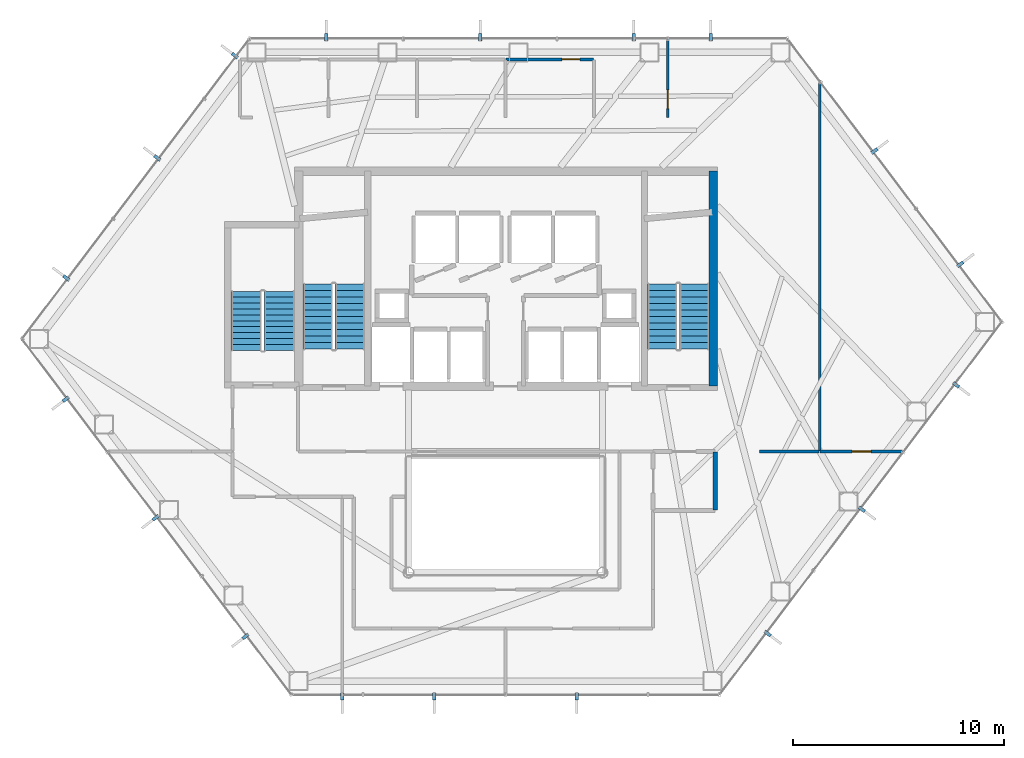
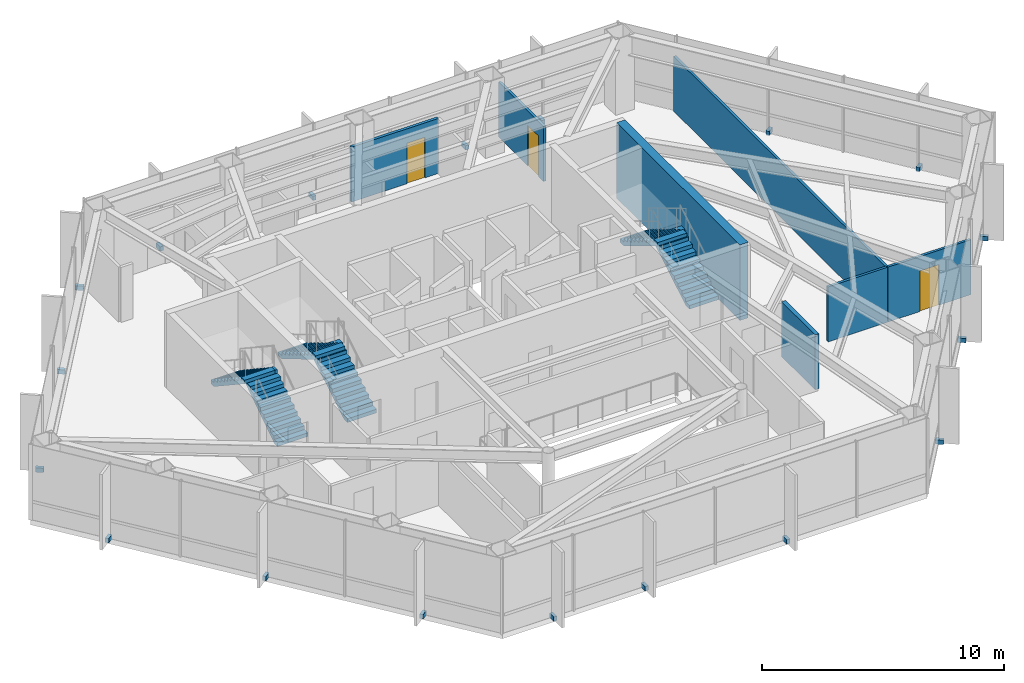
# One storey, part 23 of 24: 18 discrete accessories, 7 walls, 6 stair flights, 3 doors, 3 openings, 3 elements without a shape of their own.
"""IFC4 building model written with IfcOpenShell, lengths in metres."""

from ifc_helpers import new_model, si_unit, direction, frame, frame_2d, origin, origin_2d, place, context, subcontext, project, spatial, polyline, rectangle, outline, extrude, material, layer, layer_set, type_object, element, fill, aggregate, save


model = new_model("IFC4")

# Units and contexts
model_context = context("Model", 3, precision=1e-05, world=origin(), true_north=direction((0.0, 1.0)))
body_context = subcontext(model_context, "Body", "Model", "MODEL_VIEW")
ifc_project = project(units=[si_unit("LENGTHUNIT", "METRE"), si_unit("AREAUNIT", "SQUARE_METRE"), si_unit("VOLUMEUNIT", "CUBIC_METRE"), si_unit("PLANEANGLEUNIT", "RADIAN"), si_unit("MASSUNIT", "GRAM", prefix="KILO")], contexts=[model_context])

# Site, building, storey
site_placement = place(None, origin())
site = spatial("IfcSite", under=ifc_project, at=site_placement, CompositionType="ELEMENT")
building_placement = place(site_placement, origin())
building = spatial("IfcBuilding", under=site, at=building_placement, Name="Zarrinselat Tower", CompositionType="ELEMENT")
storey_placement = place(building_placement, frame((0.0, 0.0, 76.5)))
storey = spatial("IfcBuildingStorey", under=building, at=storey_placement, Name="L18", CompositionType="ELEMENT", Elevation=76.5)

# Wall
ifc_material_1 = material(Name="Concrete C40/50", Category="concrete")
ifc_layer_1 = layer(ifc_material_1, 0.18994140625)
ifc_layer_set_1 = layer_set([ifc_layer_1], Name="Concrete C40/50")
wall_type_1 = type_object("IfcWallType", Name="WAL-PART-EI120", PredefinedType="PARTITIONING", material=ifc_layer_set_1)
wall_1_placement = place(storey_placement, frame((48.35009765625, 27.3701171875, 0.0), z_axis=(0.0, 0.0, 1.0), x_axis=(0.0, 1.0, 0.0)))
element("IfcWall", 1, at=wall_1_placement, inside=storey, type_object=wall_type_1, Name="L18 Partition Wall 14", PredefinedType="PARTITIONING", context=body_context, shape_type="SweptSolid", body=[
    extrude(rectangle(XDim=2.759765625, YDim=0.18994140625, at=frame_2d((1.3798828125, 0.0))), origin(), (0.0, 0.0, 1.0), 2.777099609375),
])

# Wall, opening, door
ifc_material_2 = material(Name="Fire-Rated Gypsum Board Partition", Category="gypsum")
ifc_layer_2 = layer(ifc_material_2, 0.1201171875)
ifc_layer_set_2 = layer_set([ifc_layer_2], Name="Fire-Rated Gypsum Board Partition")
wall_type_2 = type_object("IfcWallType", Name="WAL-PART-STD", PredefinedType="PARTITIONING", material=ifc_layer_set_2)
wall_2_placement = place(storey_placement, frame((53.320068359375, 30.14990234375, 0.0), z_axis=(0.0, 0.0, 1.0), x_axis=(1.0, 0.0, 0.0)))
wall_2 = element("IfcWall", 2, at=wall_2_placement, inside=storey, type_object=wall_type_2, Name="L18 Partition Wall 44", PredefinedType="PARTITIONING", context=body_context, shape_type="SweptSolid", body=[
    extrude(rectangle(XDim=3.956298828125, YDim=0.1201171875, at=frame_2d((1.97802734375, 0.0))), origin(), (0.0, 0.0, 1.0), 2.777099609375),
])
opening_1_placement = place(wall_2_placement, frame((1.5283203125, 0.0, 0.0)))
opening_1 = element("IfcOpeningElement", 3, at=opening_1_placement, cuts=wall_2, Name="Opening ID-05", PredefinedType="OPENING", context=body_context, shape_type="SweptSolid", body=[
    extrude(rectangle(XDim=0.89990234375, YDim=2.050048828125, at=frame_2d((0.449951171875, 1.02490234375))), frame((0.0, 0.070068359375, 0.0), z_axis=(0.0, -1.0, 0.0), x_axis=(1.0, 0.0, 0.0)), (0.0, 0.0, 1.0), 0.14013671875),
])
ifc_material_3 = material(Name="Extruded Aluminium Alloy EN AW-6063 T6", Category="aluminium")
door_type_1 = type_object("IfcDoorType", Name="DR-INT-STD-920", OperationType="NOTDEFINED", PredefinedType="DOOR", material=ifc_material_3)
door_1_placement = place(opening_1_placement, origin())
door_1 = element("IfcDoor", 4, at=door_1_placement, inside=storey, type_object=door_type_1, Name="L18 Interior Door P44", OperationType="SINGLE_SWING_LEFT", OverallHeight=2.050048828125, OverallWidth=0.89990234375, PredefinedType="DOOR", context=body_context, shape_type="SweptSolid", body=[
    extrude(rectangle(XDim=0.89990234375, YDim=2.050048828125, at=frame_2d((0.449951171875, 1.02490234375))), frame((0.0, 0.02490234375, 0.0), z_axis=(0.0, -1.0, 0.0), x_axis=(1.0, 0.0, 0.0)), (0.0, 0.0, 1.0), 0.050048828125),
])
fill(opening_1, door_1)

# Walls
wall_3_placement = place(storey_placement, frame((50.449951171875, 30.14990234375, 0.0), z_axis=(0.0, 0.0, 1.0), x_axis=(1.0, 0.0, 0.0)))
element("IfcWall", 5, at=wall_3_placement, inside=storey, type_object=wall_type_2, Name="L18 Partition Wall 45", PredefinedType="PARTITIONING", context=body_context, shape_type="SweptSolid", body=[
    extrude(rectangle(XDim=2.830078125, YDim=0.1201171875, at=frame_2d((1.4150390625, 0.0))), origin(), (0.0, 0.0, 1.0), 2.777099609375),
])
wall_4_placement = place(storey_placement, frame((53.300048828125, 30.169921875, 0.0), z_axis=(0.0, 0.0, 1.0), x_axis=(0.0, 1.0, 0.0)))
element("IfcWall", 6, at=wall_4_placement, inside=storey, type_object=wall_type_2, Name="L18 Partition Wall 48", PredefinedType="PARTITIONING", context=body_context, shape_type="SweptSolid", body=[
    extrude(rectangle(XDim=17.536865234375, YDim=0.1201171875, at=frame_2d((8.7685546875, 0.0))), origin(), (0.0, 0.0, 1.0), 2.777099609375),
])

# Wall, opening, door
wall_5_placement = place(storey_placement, frame((46.10009765625, 46.0, 0.0), z_axis=(0.0, 0.0, 1.0), x_axis=(0.0, 1.0, 0.0)))
wall_5 = element("IfcWall", 7, at=wall_5_placement, inside=storey, type_object=wall_type_2, Name="L18 Partition Wall 49", PredefinedType="PARTITIONING", context=body_context, shape_type="SweptSolid", body=[
    extrude(rectangle(XDim=3.71826171875, YDim=0.1201171875, at=frame_2d((1.859130859375, 0.0))), origin(), (0.0, 0.0, 1.0), 2.777099609375),
])
opening_2_placement = place(wall_5_placement, frame((0.4091796875, 0.0, 0.0)))
opening_2 = element("IfcOpeningElement", 8, at=opening_2_placement, cuts=wall_5, Name="Opening ID-05", PredefinedType="OPENING", context=body_context, shape_type="SweptSolid", body=[
    extrude(rectangle(XDim=0.89990234375, YDim=2.050048828125, at=frame_2d((0.449951171875, 1.02490234375))), frame((0.0, 0.070068359375, 0.0), z_axis=(0.0, -1.0, 0.0), x_axis=(1.0, 0.0, 0.0)), (0.0, 0.0, 1.0), 0.14013671875),
])
door_2_placement = place(opening_2_placement, origin())
door_2 = element("IfcDoor", 9, at=door_2_placement, inside=storey, type_object=door_type_1, Name="L18 Interior Door P49", OperationType="SINGLE_SWING_RIGHT", OverallHeight=2.050048828125, OverallWidth=0.89990234375, PredefinedType="DOOR", context=body_context, shape_type="SweptSolid", body=[
    extrude(rectangle(XDim=0.89990234375, YDim=2.050048828125, at=frame_2d((0.449951171875, 1.02490234375))), frame((0.0, 0.02490234375, 0.0), z_axis=(0.0, -1.0, 0.0), x_axis=(1.0, 0.0, 0.0)), (0.0, 0.0, 1.0), 0.050048828125),
])
fill(opening_2, door_2)

ifc_material_4 = material(Name="Fire-Rated Gypsum Board Partition", Category="gypsum")
ifc_layer_3 = layer(ifc_material_4, 0.135009765625)
ifc_layer_set_3 = layer_set([ifc_layer_3], Name="Fire-Rated Gypsum Board Partition")
wall_type_3 = type_object("IfcWallType", Name="WAL-PART-WET", PredefinedType="PARTITIONING", material=ifc_layer_set_3)
wall_6_placement = place(storey_placement, frame((38.419921875, 48.75, 0.0), z_axis=(0.0, 0.0, 1.0), x_axis=(1.0, 0.0, 0.0)))
wall_6 = element("IfcWall", 10, at=wall_6_placement, inside=storey, type_object=wall_type_3, Name="L18 Partition Wall 40", PredefinedType="PARTITIONING", context=body_context, shape_type="SweptSolid", body=[
    extrude(rectangle(XDim=4.16015625, YDim=0.135009765625, at=frame_2d((2.080078125, 0.0))), origin(), (0.0, 0.0, 1.0), 2.777099609375),
])
opening_3_placement = place(wall_6_placement, frame((2.64990234375, 0.0, 0.0)))
opening_3 = element("IfcOpeningElement", 11, at=opening_3_placement, cuts=wall_6, Name="Opening ID-06", PredefinedType="OPENING", context=body_context, shape_type="SweptSolid", body=[
    extrude(rectangle(XDim=0.860107421875, YDim=2.050048828125, at=frame_2d((0.43017578125, 1.02490234375))), frame((0.0, 0.077392578125, 0.0), z_axis=(0.0, -1.0, 0.0), x_axis=(1.0, 0.0, 0.0)), (0.0, 0.0, 1.0), 0.155029296875),
])
ifc_material_5 = material(Name="Extruded Aluminium Alloy EN AW-6063 T6", Category="aluminium")
door_type_2 = type_object("IfcDoorType", Name="DR-INT-WET-900", OperationType="NOTDEFINED", PredefinedType="DOOR", material=ifc_material_5)
door_3_placement = place(opening_3_placement, origin())
door_3 = element("IfcDoor", 12, at=door_3_placement, inside=storey, type_object=door_type_2, Name="L18 Interior Door P40", OperationType="SINGLE_SWING_RIGHT", OverallHeight=2.050048828125, OverallWidth=0.860107421875, PredefinedType="DOOR", context=body_context, shape_type="SweptSolid", body=[
    extrude(rectangle(XDim=0.860107421875, YDim=2.050048828125, at=frame_2d((0.43017578125, 1.02490234375))), frame((0.0, 0.02490234375, 0.0), z_axis=(0.0, -1.0, 0.0), x_axis=(1.0, 0.0, 0.0)), (0.0, 0.0, 1.0), 0.050048828125),
])
fill(opening_3, door_3)

# Wall
ifc_material_6 = material(Name="Concrete C60/75", Category="concrete")
ifc_layer_4 = layer(ifc_material_6, 0.39990234375)
ifc_layer_set_4 = layer_set([ifc_layer_4], Name="Concrete C60/75")
wall_type_4 = type_object("IfcWallType", Name="WAL-SHEAR-400", PredefinedType="SHEAR", material=ifc_layer_set_4)
wall_7_placement = place(storey_placement, frame((48.260009765625, 33.25, 0.0), z_axis=(0.0, 0.0, 1.0), x_axis=(0.0, 1.0, 0.0)))
element("IfcWall", 13, at=wall_7_placement, inside=storey, type_object=wall_type_4, Name="L18 Core Shear Wall E", PredefinedType="SHEAR", context=body_context, shape_type="SweptSolid", body=[
    extrude(rectangle(XDim=10.199951171875, YDim=0.39990234375, at=frame_2d((5.10009765625, 0.0))), origin(), (0.0, 0.0, 1.0), 3.820068359375),
])

# Stair, stair flights
ifc_material_7 = material(Name="Concrete C40/50", Category="concrete")
stair_type_1 = type_object("IfcStairType", Name="STR-CORE-145", PredefinedType="HALF_TURN_STAIR", material=ifc_material_7)
stair_1_placement = place(storey_placement, origin())
stair_1 = element("IfcStair", 14, at=stair_1_placement, inside=storey, type_object=stair_type_1, Name="L18 Podium & Mid-Tower Exit Stair 3", PredefinedType="HALF_TURN_STAIR")
ifc_material_8 = material(Name="Concrete C40/50", Category="concrete")
stair_flight_type_1 = type_object("IfcStairFlightType", Name="STR-FLT-145", PredefinedType="STRAIGHT", material=ifc_material_8)
stair_flight_1_placement = place(storey_placement, frame((27.675048828125, 34.949951171875, 0.0), z_axis=(0.0, 0.0, 1.0), x_axis=(0.0, 1.0, 0.0)))
stair_flight_1 = element("IfcStairFlight", 15, at=stair_flight_1_placement, type_object=stair_flight_type_1, Name="ST-3 flight 1", NumberOfRisers=11, NumberOfTreads=10, PredefinedType="STRAIGHT", RiserHeight=0.185454545, TreadLength=0.28, context=body_context, shape_type="SweptSolid", body=[
    extrude(outline(polyline([(0.0, 0.0), (0.0, 0.185546875), (0.280029296875, 0.185546875), (0.280029296875, 0.370849609375), (0.56005859375, 0.370849609375), (0.56005859375, 0.556396484375), (0.840087890625, 0.556396484375), (0.840087890625, 0.74169921875), (1.1201171875, 0.74169921875), (1.1201171875, 0.92724609375), (1.39990234375, 0.92724609375), (1.39990234375, 1.11279296875), (1.679931640625, 1.11279296875), (1.679931640625, 1.298095703125), (1.9599609375, 1.298095703125), (1.9599609375, 1.483642578125), (2.239990234375, 1.483642578125), (2.239990234375, 1.669189453125), (2.52001953125, 1.669189453125), (2.52001953125, 1.8544921875), (2.800048828125, 1.8544921875), (2.800048828125, 2.0400390625), (2.800048828125, 1.6748046875), (0.271484375, 0.0), (0.0, 0.0)])), frame((0.0, 0.72509765625, 0.0), z_axis=(0.0, -1.0, 0.0), x_axis=(1.0, 0.0, 0.0)), (0.0, 0.0, 1.0), 1.449951171875),
])
stair_flight_2_placement = place(storey_placement, frame((26.10498046875, 37.75, 2.0400390625), z_axis=(0.0, 0.0, 1.0), x_axis=(0.0, -1.0, 0.0)))
stair_flight_2 = element("IfcStairFlight", 16, at=stair_flight_2_placement, type_object=stair_flight_type_1, Name="ST-3 flight 2", NumberOfRisers=11, NumberOfTreads=10, PredefinedType="STRAIGHT", RiserHeight=0.185454545, TreadLength=0.28, context=body_context, shape_type="SweptSolid", body=[
    extrude(outline(polyline([(0.0, 0.0), (0.0, 0.185546875), (0.280029296875, 0.185546875), (0.280029296875, 0.370849609375), (0.56005859375, 0.370849609375), (0.56005859375, 0.556396484375), (0.840087890625, 0.556396484375), (0.840087890625, 0.74169921875), (1.1201171875, 0.74169921875), (1.1201171875, 0.92724609375), (1.39990234375, 0.92724609375), (1.39990234375, 1.11279296875), (1.679931640625, 1.11279296875), (1.679931640625, 1.298095703125), (1.9599609375, 1.298095703125), (1.9599609375, 1.483642578125), (2.239990234375, 1.483642578125), (2.239990234375, 1.669189453125), (2.52001953125, 1.669189453125), (2.52001953125, 1.8544921875), (2.800048828125, 1.8544921875), (2.800048828125, 2.0400390625), (2.800048828125, 1.6748046875), (0.271484375, 0.0), (0.0, 0.0)])), frame((0.0, 0.72509765625, 0.0), z_axis=(0.0, -1.0, 0.0), x_axis=(1.0, 0.0, 0.0)), (0.0, 0.0, 1.0), 1.449951171875),
])
aggregate(stair_1, [stair_flight_1, stair_flight_2])

ifc_material_9 = material(Name="Concrete C40/50", Category="concrete")
stair_type_2 = type_object("IfcStairType", Name="STR-CORE-155", PredefinedType="HALF_TURN_STAIR", material=ifc_material_9)
stair_2_placement = place(storey_placement, origin())
stair_2 = element("IfcStair", 17, at=stair_2_placement, inside=storey, type_object=stair_type_2, Name="L18 Core Exit Stair 1", PredefinedType="HALF_TURN_STAIR")
ifc_material_10 = material(Name="Concrete C40/50", Category="concrete")
stair_flight_type_2 = type_object("IfcStairFlightType", Name="STR-FLT-155", PredefinedType="STRAIGHT", material=ifc_material_10)
stair_flight_3_placement = place(storey_placement, frame((31.02001953125, 35.0, 0.0), z_axis=(0.0, 0.0, 1.0), x_axis=(0.0, 1.0, 0.0)))
stair_flight_3 = element("IfcStairFlight", 18, at=stair_flight_3_placement, type_object=stair_flight_type_2, Name="ST-1 flight 1", NumberOfRisers=11, NumberOfTreads=10, PredefinedType="STRAIGHT", RiserHeight=0.185454545, TreadLength=0.31, context=body_context, shape_type="SweptSolid", body=[
    extrude(outline(polyline([(0.0, 0.0), (0.0, 0.185546875), (0.31005859375, 0.185546875), (0.31005859375, 0.370849609375), (0.6201171875, 0.370849609375), (0.6201171875, 0.556396484375), (0.929931640625, 0.556396484375), (0.929931640625, 0.74169921875), (1.239990234375, 0.74169921875), (1.239990234375, 0.92724609375), (1.550048828125, 0.92724609375), (1.550048828125, 1.11279296875), (1.860107421875, 1.11279296875), (1.860107421875, 1.298095703125), (2.169921875, 1.298095703125), (2.169921875, 1.483642578125), (2.47998046875, 1.483642578125), (2.47998046875, 1.669189453125), (2.7900390625, 1.669189453125), (2.7900390625, 1.8544921875), (3.10009765625, 1.8544921875), (3.10009765625, 2.0400390625), (3.10009765625, 1.679931640625), (0.2919921875, 0.0), (0.0, 0.0)])), frame((0.0, 0.699951171875, 0.0), z_axis=(0.0, -1.0, 0.0), x_axis=(1.0, 0.0, 0.0)), (0.0, 0.0, 1.0), 1.39990234375),
])
stair_flight_4_placement = place(storey_placement, frame((29.5, 38.10009765625, 2.0400390625), z_axis=(0.0, 0.0, 1.0), x_axis=(0.0, -1.0, 0.0)))
stair_flight_4 = element("IfcStairFlight", 19, at=stair_flight_4_placement, type_object=stair_flight_type_2, Name="ST-1 flight 2", NumberOfRisers=11, NumberOfTreads=10, PredefinedType="STRAIGHT", RiserHeight=0.185454545, TreadLength=0.31, context=body_context, shape_type="SweptSolid", body=[
    extrude(outline(polyline([(0.0, 0.0), (0.0, 0.185546875), (0.31005859375, 0.185546875), (0.31005859375, 0.370849609375), (0.6201171875, 0.370849609375), (0.6201171875, 0.556396484375), (0.929931640625, 0.556396484375), (0.929931640625, 0.74169921875), (1.239990234375, 0.74169921875), (1.239990234375, 0.92724609375), (1.550048828125, 0.92724609375), (1.550048828125, 1.11279296875), (1.860107421875, 1.11279296875), (1.860107421875, 1.298095703125), (2.169921875, 1.298095703125), (2.169921875, 1.483642578125), (2.47998046875, 1.483642578125), (2.47998046875, 1.669189453125), (2.7900390625, 1.669189453125), (2.7900390625, 1.8544921875), (3.10009765625, 1.8544921875), (3.10009765625, 2.0400390625), (3.10009765625, 1.679931640625), (0.2919921875, 0.0), (0.0, 0.0)])), frame((0.0, 0.699951171875, 0.0), z_axis=(0.0, -1.0, 0.0), x_axis=(1.0, 0.0, 0.0)), (0.0, 0.0, 1.0), 1.39990234375),
])
aggregate(stair_2, [stair_flight_3, stair_flight_4])

stair_3_placement = place(storey_placement, origin())
stair_3 = element("IfcStair", 20, at=stair_3_placement, inside=storey, type_object=stair_type_2, Name="L18 Core Exit Stair 2", PredefinedType="HALF_TURN_STAIR")
stair_flight_5_placement = place(storey_placement, frame((47.360107421875, 35.0, 0.0), z_axis=(0.0, 0.0, 1.0), x_axis=(0.0, 1.0, 0.0)))
stair_flight_5 = element("IfcStairFlight", 21, at=stair_flight_5_placement, type_object=stair_flight_type_2, Name="ST-2 flight 1", NumberOfRisers=11, NumberOfTreads=10, PredefinedType="STRAIGHT", RiserHeight=0.185454545, TreadLength=0.31, context=body_context, shape_type="SweptSolid", body=[
    extrude(outline(polyline([(0.0, 0.0), (0.0, 0.185546875), (0.31005859375, 0.185546875), (0.31005859375, 0.370849609375), (0.6201171875, 0.370849609375), (0.6201171875, 0.556396484375), (0.929931640625, 0.556396484375), (0.929931640625, 0.74169921875), (1.239990234375, 0.74169921875), (1.239990234375, 0.92724609375), (1.550048828125, 0.92724609375), (1.550048828125, 1.11279296875), (1.860107421875, 1.11279296875), (1.860107421875, 1.298095703125), (2.169921875, 1.298095703125), (2.169921875, 1.483642578125), (2.47998046875, 1.483642578125), (2.47998046875, 1.669189453125), (2.7900390625, 1.669189453125), (2.7900390625, 1.8544921875), (3.10009765625, 1.8544921875), (3.10009765625, 2.0400390625), (3.10009765625, 1.679931640625), (0.2919921875, 0.0), (0.0, 0.0)])), frame((0.0, 0.699951171875, 0.0), z_axis=(0.0, -1.0, 0.0), x_axis=(1.0, 0.0, 0.0)), (0.0, 0.0, 1.0), 1.39990234375),
])
stair_flight_6_placement = place(storey_placement, frame((45.840087890625, 38.10009765625, 2.0400390625), z_axis=(0.0, 0.0, 1.0), x_axis=(0.0, -1.0, 0.0)))
stair_flight_6 = element("IfcStairFlight", 22, at=stair_flight_6_placement, type_object=stair_flight_type_2, Name="ST-2 flight 2", NumberOfRisers=11, NumberOfTreads=10, PredefinedType="STRAIGHT", RiserHeight=0.185454545, TreadLength=0.31, context=body_context, shape_type="SweptSolid", body=[
    extrude(outline(polyline([(0.0, 0.0), (0.0, 0.185546875), (0.31005859375, 0.185546875), (0.31005859375, 0.370849609375), (0.6201171875, 0.370849609375), (0.6201171875, 0.556396484375), (0.929931640625, 0.556396484375), (0.929931640625, 0.74169921875), (1.239990234375, 0.74169921875), (1.239990234375, 0.92724609375), (1.550048828125, 0.92724609375), (1.550048828125, 1.11279296875), (1.860107421875, 1.11279296875), (1.860107421875, 1.298095703125), (2.169921875, 1.298095703125), (2.169921875, 1.483642578125), (2.47998046875, 1.483642578125), (2.47998046875, 1.669189453125), (2.7900390625, 1.669189453125), (2.7900390625, 1.8544921875), (3.10009765625, 1.8544921875), (3.10009765625, 2.0400390625), (3.10009765625, 1.679931640625), (0.2919921875, 0.0), (0.0, 0.0)])), frame((0.0, 0.699951171875, 0.0), z_axis=(0.0, -1.0, 0.0), x_axis=(1.0, 0.0, 0.0)), (0.0, 0.0, 1.0), 1.39990234375),
])
aggregate(stair_3, [stair_flight_5, stair_flight_6])

# Discrete accessories
ifc_material_11 = material(Name="Steel S355J2", Category="steel")
discrete_accessory_type = type_object("IfcDiscreteAccessoryType", Name="ACC-FIN-BRACKET", PredefinedType="BRACKET", material=ifc_material_11)
for number, where, z_axis, x_axis, name in (
    (23, (48.130859375, 49.80322265625, -0.0498046875), (0.0, 0.0, 1.0), (0.0, 1.0, 0.0), "L18 Fin Fixing Bracket CW-L18-E01-01"),
    (24, (44.4853515625, 49.80322265625, -0.0498046875), (0.0, 0.0, 1.0), (0.0, 1.0, 0.0), "L18 Fin Fixing Bracket CW-L18-E01-03"),
    (25, (37.194580078125, 49.80322265625, -0.0498046875), (0.0, 0.0, 1.0), (0.0, 1.0, 0.0), "L18 Fin Fixing Bracket CW-L18-E01-05"),
    (26, (29.903564453125, 49.80322265625, -0.0498046875), (0.0, 0.0, 1.0), (0.0, 1.0, 0.0), "L18 Fin Fixing Bracket CW-L18-E01-07"),
    (27, (25.56201171875, 48.930419921875, -0.0498046875), (0.0, 0.0, 1.0), (-0.797092882627, 0.60385671849, 0.0), "L18 Fin Fixing Bracket CW-L18-E02-01"),
    (28, (21.88525390625, 44.076904296875, -0.0498046875), (0.0, 0.0, 1.0), (-0.797092882627, 0.60385671849, 0.0), "L18 Fin Fixing Bracket CW-L18-E02-03"),
    (29, (17.568115234375, 38.37841796875, -0.0498046875), (0.0, 0.0, 1.0), (-0.797092882627, 0.60385671849, 0.0), "L18 Fin Fixing Bracket CW-L18-E02-05"),
    (30, (17.541259765625, 32.630859375, -0.0498046875), (0.0, 0.0, 1.0), (-0.797094283044, -0.603854869931, 0.0), "L18 Fin Fixing Bracket CW-L18-E03-01"),
    (31, (21.804443359375, 27.003662109375, -0.0498046875), (0.0, 0.0, 1.0), (-0.797094283044, -0.603854869931, 0.0), "L18 Fin Fixing Bracket CW-L18-E03-03"),
    (32, (26.0673828125, 21.376220703125, -0.0498046875), (0.0, 0.0, 1.0), (-0.797094283044, -0.603854869931, 0.0), "L18 Fin Fixing Bracket CW-L18-E03-05"),
    (33, (30.64990234375, 18.534912109375, -0.0498046875), (0.0, 0.0, 1.0), (0.0, -1.0, 0.0), "L18 Fin Fixing Bracket CW-L18-E04-01"),
    (34, (35.018310546875, 18.534912109375, -0.0498046875), (0.0, 0.0, 1.0), (0.0, -1.0, 0.0), "L18 Fin Fixing Bracket CW-L18-E04-03"),
    (35, (41.78173828125, 18.534912109375, -0.0498046875), (0.0, 0.0, 1.0), (0.0, -1.0, 0.0), "L18 Fin Fixing Bracket CW-L18-E04-05"),
    (36, (50.83544921875, 21.511962890625, -0.0498046875), (0.0, 0.0, 1.0), (0.797094119063, -0.603855086386, 0.0), "L18 Fin Fixing Bracket CW-L18-E05-01"),
    (37, (55.30419921875, 27.410888671875, -0.0498046875), (0.0, 0.0, 1.0), (0.797094119063, -0.603855086386, 0.0), "L18 Fin Fixing Bracket CW-L18-E05-03"),
    (38, (59.773193359375, 33.309814453125, -0.0498046875), (0.0, 0.0, 1.0), (0.797094119063, -0.603855086386, 0.0), "L18 Fin Fixing Bracket CW-L18-E05-05"),
    (39, (59.972412109375, 39.0302734375, -0.0498046875), (0.0, 0.0, 1.0), (0.797093013736, 0.603856545426, 0.0), "L18 Fin Fixing Bracket CW-L18-E06-01"),
    (40, (55.902099609375, 44.40283203125, -0.0498046875), (0.0, 0.0, 1.0), (0.797093013736, 0.603856545426, 0.0), "L18 Fin Fixing Bracket CW-L18-E06-03"),
):
    element("IfcDiscreteAccessory", number, at=place(storey_placement, frame(where, z_axis=z_axis, x_axis=x_axis)), inside=storey, type_object=discrete_accessory_type, Name=name, PredefinedType="BRACKET", context=body_context, shape_type="SweptSolid", body=[
        extrude(rectangle(XDim=0.340087890625, YDim=0.159912109375, at=origin_2d()), origin(), (0.0, 0.0, 1.0), 0.219970703125),
    ])

save(model, "model.ifc")
